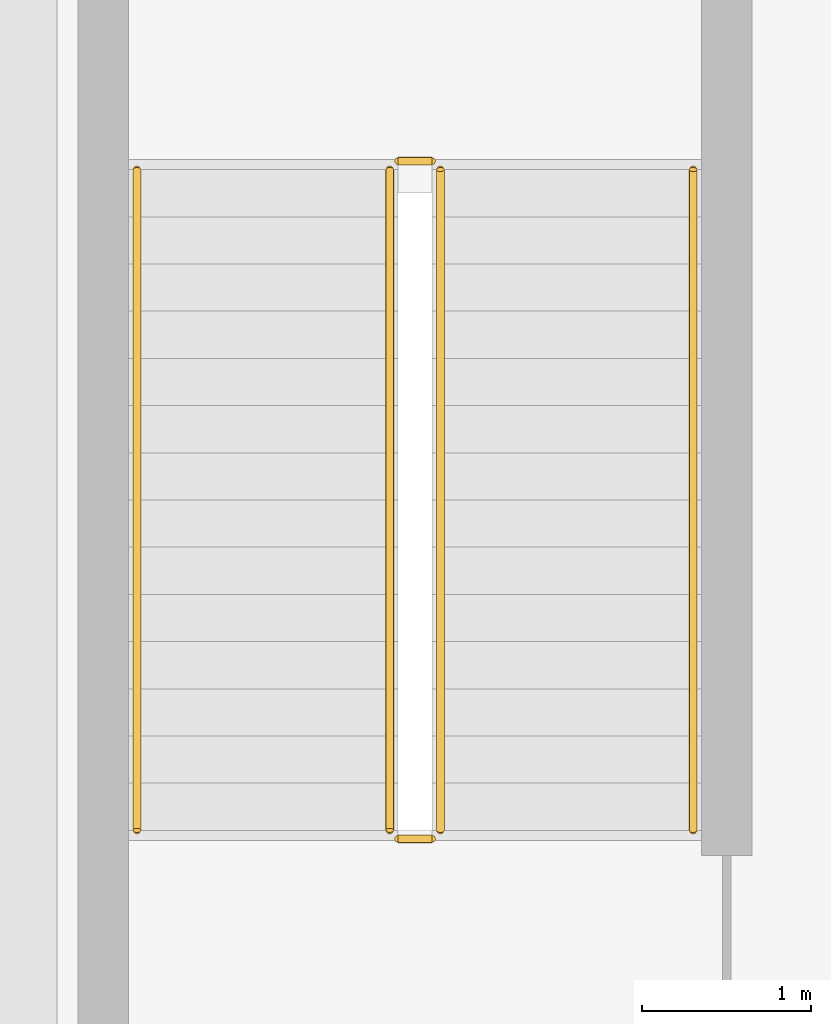
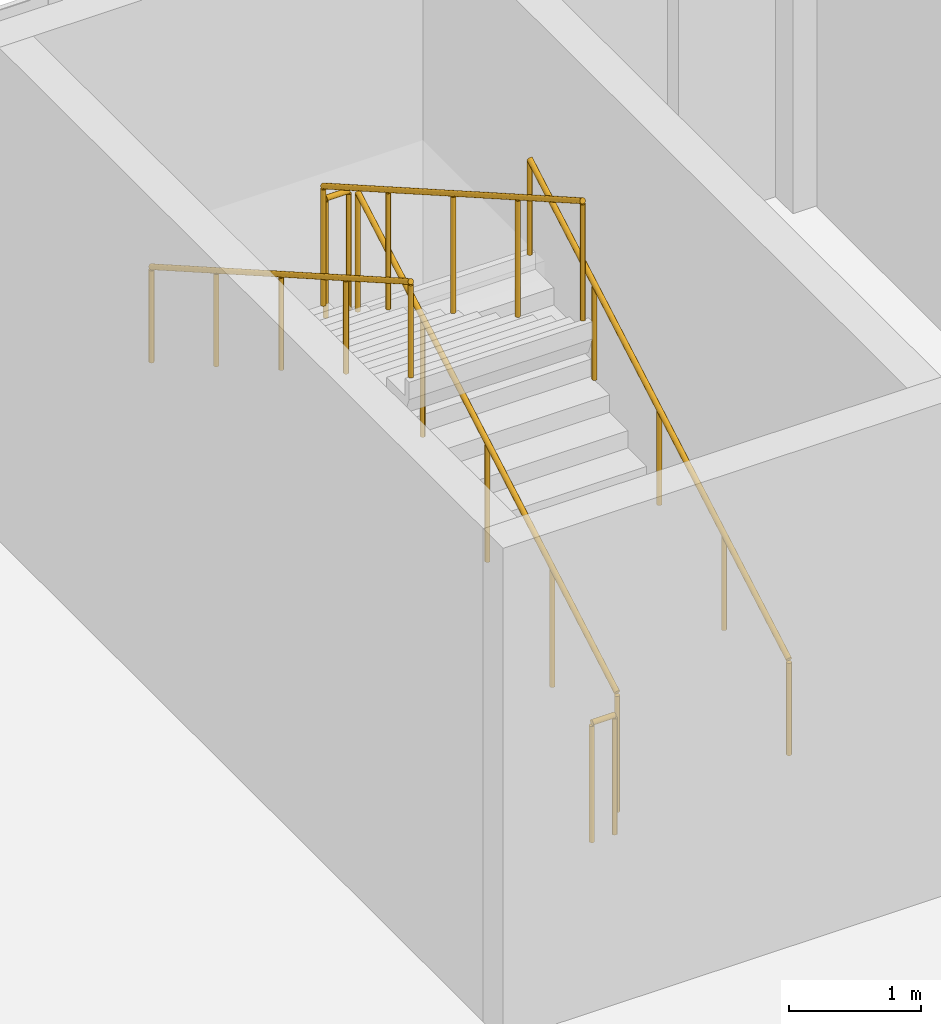
# One storey, part 149 of 156: 6 railings.
"""IFC4 building model written with IfcOpenShell, lengths in metres."""

import ifcopenshell
import ifcopenshell.guid

model = None  # the IFC model being written
_history = None  # IfcOwnerHistory: only IFC2X3 demands one
_inside = {}  # id of a spatial element -> (the spatial element, [elements in it])
_under = {}  # id of a project, library or spatial element -> (it, [spatial elements below it])
_declared = {}  # id of a project -> (the project, [libraries it declares])
_typed = {}  # id of a type object -> (the type object, [elements of that type])
_made_of = {}  # id of a material, layer set ... -> (it, [elements and type objects made of it])


def new_model(schema):
    """Start an empty IFC model of exactly this schema.

    Asked for "IFC4X3", IfcOpenShell would pick the latest addendum, in which some entities
    have other attributes; the version numbers below select the first issue.
    IFC2X3 requires an IfcOwnerHistory on every rooted entity: one is made here for all.
    """
    global model, _history
    if schema == "IFC4X3":
        model = ifcopenshell.file(schema_version=(4, 3, 0, 0))
    else:
        model = ifcopenshell.file(schema=schema)
    _inside.clear()
    _under.clear()
    _declared.clear()
    _typed.clear()
    _made_of.clear()
    _history = None
    if model.schema == "IFC2X3":
        org = make("IfcOrganization", Name="unknown")
        user = make(
            "IfcPersonAndOrganization",
            ThePerson=make("IfcPerson", FamilyName="unknown"),
            TheOrganization=org,
        )
        app = make(
            "IfcApplication",
            ApplicationDeveloper=org,
            Version="unknown",
            ApplicationFullName="unknown",
            ApplicationIdentifier="unknown",
        )
        _history = make(
            "IfcOwnerHistory",
            OwningUser=user,
            OwningApplication=app,
            ChangeAction="ADDED",
            CreationDate=0,
        )
    return model


def make(cls, **values):
    """One entity of the class cls with the attributes given. An attribute that is None is left unset."""
    return model.create_entity(
        cls, **{name: value for name, value in values.items() if value is not None}
    )


def rooted(cls, **values):
    """An entity with a GlobalId (a new one), such as an element, a storey or a relation."""
    return make(cls, GlobalId=ifcopenshell.guid.new(), OwnerHistory=_history, **values)


def si_unit(unit_type, name, prefix=None):
    """IfcSIUnit, for example si_unit("LENGTHUNIT", "METRE", prefix="MILLI")."""
    return make("IfcSIUnit", UnitType=unit_type, Prefix=prefix, Name=name)


def assignment(units):
    """IfcUnitAssignment: the units of a project."""
    return None if units is None else make("IfcUnitAssignment", Units=units)


def point(xyz):
    """IfcCartesianPoint."""
    return None if xyz is None else make("IfcCartesianPoint", Coordinates=xyz)


def direction(xyz):
    """IfcDirection."""
    return None if xyz is None else make("IfcDirection", DirectionRatios=xyz)


def frame(location, z_axis=None, x_axis=None):
    """IfcAxis2Placement3D, a coordinate frame: its origin and axes. An axis left out is left unset."""
    return make(
        "IfcAxis2Placement3D",
        Location=point(location),
        Axis=direction(z_axis),
        RefDirection=direction(x_axis),
    )


def frame_2d(location, x_axis=None):
    """IfcAxis2Placement2D, a coordinate frame in the plane: its origin and x axis."""
    return make(
        "IfcAxis2Placement2D", Location=point(location), RefDirection=direction(x_axis)
    )


def origin():
    """The frame at (0, 0, 0) with its axes left unset."""
    return frame((0.0, 0.0, 0.0))


def origin_2d():
    """The frame at (0, 0) in the plane with its x axis left unset."""
    return frame_2d((0.0, 0.0))


def place(relative_to, where):
    """IfcLocalPlacement: puts the frame where relative to a parent placement (None: the world)."""
    return make(
        "IfcLocalPlacement", PlacementRelTo=relative_to, RelativePlacement=where
    )


def context(
    kind, dimensions, precision=None, world=None, true_north=None, identifier=None
):
    """IfcGeometricRepresentationContext, for example the 3D "Model" context."""
    return make(
        "IfcGeometricRepresentationContext",
        ContextIdentifier=identifier,
        ContextType=kind,
        CoordinateSpaceDimension=dimensions,
        Precision=precision,
        WorldCoordinateSystem=world,
        TrueNorth=true_north,
    )


def subcontext(parent, identifier, kind, view, scale=None):
    """IfcGeometricRepresentationSubContext, for example "Body" below "Model"."""
    return make(
        "IfcGeometricRepresentationSubContext",
        ContextIdentifier=identifier,
        ContextType=kind,
        ParentContext=parent,
        TargetScale=scale,
        TargetView=view,
    )


def project(units=None, contexts=None):
    """IfcProject with its units and contexts."""
    return rooted(
        "IfcProject",
        Name="project",
        RepresentationContexts=contexts,
        UnitsInContext=assignment(units),
    )


def spatial(cls, under=None, at=None, **own):
    """A site, building, storey or space (cls), placed at a placement, below another one or the project."""
    s = rooted(cls, ObjectPlacement=at, **own)
    if under is not None:
        _under.setdefault(under.id(), (under, []))[1].append(s)
    return s


def profile(cls, at=None, kind="AREA", **sizes):
    """A parametric profile (cls). Its sizes go by their IFC names, for example OverallWidth=200.0."""
    return make(cls, ProfileType=kind, Position=at, **sizes)


def circle(**sizes):
    """IfcCircleProfileDef."""
    return profile("IfcCircleProfileDef", **sizes)


def extrude(swept, where, along, depth):
    """IfcExtrudedAreaSolid: the profile swept, set in the frame where, extruded along a direction by depth."""
    return make(
        "IfcExtrudedAreaSolid",
        SweptArea=swept,
        Position=where,
        ExtrudedDirection=direction(along),
        Depth=depth,
    )


def shape(context_of_items, identifier, shape_type, items):
    """IfcShapeRepresentation: the items that make up one representation, for example the "Body"."""
    return make(
        "IfcShapeRepresentation",
        ContextOfItems=context_of_items,
        RepresentationIdentifier=identifier,
        RepresentationType=shape_type,
        Items=items,
    )


def material(Name=None, Category=None):
    """IfcMaterial."""
    return make("IfcMaterial", Name=Name, Category=Category)


def made_of(thing, what):
    """Note that an element or type object is made of a material, layer set ...; save() writes the relation."""
    if what is not None:
        _made_of.setdefault(what.id(), (what, []))[1].append(thing)
    return thing


def type_object(cls, material=None, **own):
    """A type object (cls), such as IfcWallType, which elements share."""
    return made_of(rooted(cls, **own), material)


def element(
    cls,
    number,
    at=None,
    inside=None,
    cuts=None,
    type_object=None,
    material=None,
    context=None,
    identifier="Body",
    shape_type=None,
    held_by="IfcProductDefinitionShape",
    body=None,
    shapes=None,
    **own,
):
    """One element of the class cls, such as IfcWall. Its Tag is "e" and its number.

    at: its placement. inside: the storey or other place that contains it. cuts: it is an
    opening in that element (IfcRelVoidsElement). A single representation is given by context,
    identifier, shape_type and body (its items); several are given by shapes. held_by: the class
    of the entity that holds the representations. save() writes the other relations.
    """
    e = rooted(cls, Tag="e%d" % number, ObjectPlacement=at, **own)
    if body is not None:
        shapes = [shape(context, identifier, shape_type, body)]
    if shapes is not None:
        e.Representation = make(held_by, Representations=shapes)
    if inside is not None:
        _inside.setdefault(inside.id(), (inside, []))[1].append(e)
    if cuts is not None:
        rooted(
            "IfcRelVoidsElement", RelatingBuildingElement=cuts, RelatedOpeningElement=e
        )
    if type_object is not None:
        _typed.setdefault(type_object.id(), (type_object, []))[1].append(e)
    return made_of(e, material)


def aggregate(whole, parts):
    """IfcRelAggregates: a whole, such as a stair, and the parts it consists of."""
    return rooted("IfcRelAggregates", RelatingObject=whole, RelatedObjects=parts)


def save(model, path):
    """Write the relations noted so far, then the file.

    IfcRelAggregates (storeys below a building ...), IfcRelContainedInSpatialStructure (elements
    in a storey), IfcRelDefinesByType, IfcRelAssociatesMaterial and IfcRelDeclares: one each for
    every whole, place, type object, material and project.
    """
    for whole, parts in _under.values():
        aggregate(whole, parts)
    for where, things in _inside.values():
        rooted(
            "IfcRelContainedInSpatialStructure",
            RelatedElements=things,
            RelatingStructure=where,
        )
    for kind, things in _typed.values():
        rooted("IfcRelDefinesByType", RelatedObjects=things, RelatingType=kind)
    for what, things in _made_of.values():
        rooted("IfcRelAssociatesMaterial", RelatedObjects=things, RelatingMaterial=what)
    for by, libraries in _declared.values():
        rooted("IfcRelDeclares", RelatingContext=by, RelatedDefinitions=libraries)
    model.write(path)


model = new_model("IFC4")

# Units and contexts
model_context = context("Model", 3, precision=1e-05, world=origin(), true_north=direction((0.0, 1.0)))
body_context = subcontext(model_context, "Body", "Model", "MODEL_VIEW")
ifc_project = project(units=[si_unit("LENGTHUNIT", "METRE"), si_unit("AREAUNIT", "SQUARE_METRE"), si_unit("VOLUMEUNIT", "CUBIC_METRE"), si_unit("PLANEANGLEUNIT", "RADIAN"), si_unit("MASSUNIT", "GRAM", prefix="KILO")], contexts=[model_context])

# Site, building, storey
site_placement = place(None, origin())
site = spatial("IfcSite", under=ifc_project, at=site_placement, CompositionType="ELEMENT")
building_placement = place(site_placement, origin())
building = spatial("IfcBuilding", under=site, at=building_placement, Name="Luwemba Playhouse", CompositionType="ELEMENT")
storey_placement = place(building_placement, origin())
storey = spatial("IfcBuildingStorey", under=building, at=storey_placement, Name="L00", CompositionType="ELEMENT", Elevation=0.0)

# Railings
ifc_material_1 = material(Name="Painted wrought-iron gallery balustrade", Category="steel")
railing_type_1 = type_object("IfcRailingType", Name="RLG-BAL-INT", PredefinedType="BALUSTRADE", material=ifc_material_1)
railing_1_placement = place(storey_placement, frame((126.5, 108.199951171875, 0.159912109375)))
element("IfcRailing", 1, at=railing_1_placement, inside=storey, type_object=railing_type_1, Name="L00 ST-16 stair guard 1", PredefinedType="BALUSTRADE", context=body_context, shape_type="SweptSolid", body=[
    extrude(circle(Radius=0.02392578125, at=origin_2d()), frame((0.0, 0.0, 1.09619140625), z_axis=(0.0, 0.86825312469, 0.496121468458), x_axis=(-1.0, 0.0, 0.0)), (0.0, 0.0, 1.0), 4.514892578125),
    extrude(circle(Radius=0.02099609375, at=origin_2d()), origin(), (0.0, 0.0, 1.0), 1.072021484375),
    extrude(circle(Radius=0.02099609375, at=origin_2d()), frame((0.0, 0.97998046875, 0.56005859375)), (0.0, 0.0, 1.0), 1.072021484375),
    extrude(circle(Radius=0.02099609375, at=origin_2d()), frame((0.0, 1.9599609375, 1.1201171875)), (0.0, 0.0, 1.0), 1.072021484375),
    extrude(circle(Radius=0.02099609375, at=origin_2d()), frame((0.0, 2.940185546875, 1.679931640625)), (0.0, 0.0, 1.0), 1.072021484375),
    extrude(circle(Radius=0.02099609375, at=origin_2d()), frame((0.0, 3.920166015625, 2.239990234375)), (0.0, 0.0, 1.0), 1.072021484375),
])
railing_2_placement = place(storey_placement, frame((126.449951171875, 112.169921875, 2.39990234375)))
element("IfcRailing", 2, at=railing_2_placement, inside=storey, type_object=railing_type_1, Name="L00 ST-16 stair guard 2", PredefinedType="BALUSTRADE", context=body_context, shape_type="SweptSolid", body=[
    extrude(circle(Radius=0.02392578125, at=origin_2d()), frame((0.0, 0.0, 1.09619140625), z_axis=(-1.0, 0.0, 0.0), x_axis=(0.0, -1.0, 0.0)), (0.0, 0.0, 1.0), 0.199951171875),
    extrude(circle(Radius=0.02099609375, at=origin_2d()), origin(), (0.0, 0.0, 1.0), 1.072021484375),
    extrude(circle(Radius=0.02099609375, at=origin_2d()), frame((-0.199951171875, 0.0, 0.0)), (0.0, 0.0, 1.0), 1.072021484375),
])
railing_3_placement = place(storey_placement, frame((126.199951171875, 112.1201171875, 2.56005859375)))
element("IfcRailing", 3, at=railing_3_placement, inside=storey, type_object=railing_type_1, Name="L00 ST-16 stair guard 3", PredefinedType="BALUSTRADE", context=body_context, shape_type="SweptSolid", body=[
    extrude(circle(Radius=0.02392578125, at=origin_2d()), frame((0.0, 0.0, 1.09619140625), z_axis=(0.0, -0.86825312469, 0.496121468458), x_axis=(1.0, 0.0, 0.0)), (0.0, 0.0, 1.0), 4.514892578125),
    extrude(circle(Radius=0.02099609375, at=origin_2d()), origin(), (0.0, 0.0, 1.0), 1.072021484375),
    extrude(circle(Radius=0.02099609375, at=origin_2d()), frame((0.0, -0.97998046875, 0.56005859375)), (0.0, 0.0, 1.0), 1.072021484375),
    extrude(circle(Radius=0.02099609375, at=origin_2d()), frame((0.0, -1.9599609375, 1.1201171875)), (0.0, 0.0, 1.0), 1.072021484375),
    extrude(circle(Radius=0.02099609375, at=origin_2d()), frame((0.0, -2.940185546875, 1.679931640625)), (0.0, 0.0, 1.0), 1.072021484375),
    extrude(circle(Radius=0.02099609375, at=origin_2d()), frame((0.0, -3.920166015625, 2.239990234375)), (0.0, 0.0, 1.0), 1.072021484375),
])
railing_4_placement = place(storey_placement, frame((126.449951171875, 108.14990234375, 0.0)))
element("IfcRailing", 4, at=railing_4_placement, inside=storey, type_object=railing_type_1, Name="L00 ST-16 stair guard 4", PredefinedType="BALUSTRADE", context=body_context, shape_type="SweptSolid", body=[
    extrude(circle(Radius=0.02392578125, at=origin_2d()), frame((0.0, 0.0, 1.09619140625), z_axis=(-1.0, 0.0, 0.0), x_axis=(0.0, -1.0, 0.0)), (0.0, 0.0, 1.0), 0.199951171875),
    extrude(circle(Radius=0.02099609375, at=origin_2d()), origin(), (0.0, 0.0, 1.0), 1.072021484375),
    extrude(circle(Radius=0.02099609375, at=origin_2d()), frame((-0.199951171875, 0.0, 0.0)), (0.0, 0.0, 1.0), 1.072021484375),
])
ifc_material_2 = material(Name="Hardwood and bronze handrail", Category="wood")
railing_type_2 = type_object("IfcRailingType", Name="RLG-HR-INT", PredefinedType="HANDRAIL", material=ifc_material_2)
railing_5_placement = place(storey_placement, frame((128.0, 108.199951171875, 0.159912109375)))
element("IfcRailing", 5, at=railing_5_placement, inside=storey, type_object=railing_type_2, Name="L00 ST-16 stair handrail 1", PredefinedType="HANDRAIL", context=body_context, shape_type="SweptSolid", body=[
    extrude(circle(Radius=0.02392578125, at=origin_2d()), frame((0.0, 0.0, 0.8759765625), z_axis=(0.0, 0.86825312469, 0.496121468458), x_axis=(-1.0, 0.0, 0.0)), (0.0, 0.0, 1.0), 4.514892578125),
    extrude(circle(Radius=0.02099609375, at=origin_2d()), origin(), (0.0, 0.0, 1.0), 0.851806640625),
    extrude(circle(Radius=0.02099609375, at=origin_2d()), frame((0.0, 0.97998046875, 0.56005859375)), (0.0, 0.0, 1.0), 0.851806640625),
    extrude(circle(Radius=0.02099609375, at=origin_2d()), frame((0.0, 1.9599609375, 1.1201171875)), (0.0, 0.0, 1.0), 0.851806640625),
    extrude(circle(Radius=0.02099609375, at=origin_2d()), frame((0.0, 2.940185546875, 1.679931640625)), (0.0, 0.0, 1.0), 0.851806640625),
    extrude(circle(Radius=0.02099609375, at=origin_2d()), frame((0.0, 3.920166015625, 2.239990234375)), (0.0, 0.0, 1.0), 0.851806640625),
])
railing_6_placement = place(storey_placement, frame((124.699951171875, 112.1201171875, 2.56005859375)))
element("IfcRailing", 6, at=railing_6_placement, inside=storey, type_object=railing_type_2, Name="L00 ST-16 stair handrail 2", PredefinedType="HANDRAIL", context=body_context, shape_type="SweptSolid", body=[
    extrude(circle(Radius=0.02392578125, at=origin_2d()), frame((0.0, 0.0, 0.8759765625), z_axis=(0.0, -0.86825312469, 0.496121468458), x_axis=(1.0, 0.0, 0.0)), (0.0, 0.0, 1.0), 4.514892578125),
    extrude(circle(Radius=0.02099609375, at=origin_2d()), origin(), (0.0, 0.0, 1.0), 0.851806640625),
    extrude(circle(Radius=0.02099609375, at=origin_2d()), frame((0.0, -0.97998046875, 0.56005859375)), (0.0, 0.0, 1.0), 0.851806640625),
    extrude(circle(Radius=0.02099609375, at=origin_2d()), frame((0.0, -1.9599609375, 1.1201171875)), (0.0, 0.0, 1.0), 0.851806640625),
    extrude(circle(Radius=0.02099609375, at=origin_2d()), frame((0.0, -2.940185546875, 1.679931640625)), (0.0, 0.0, 1.0), 0.851806640625),
    extrude(circle(Radius=0.02099609375, at=origin_2d()), frame((0.0, -3.920166015625, 2.239990234375)), (0.0, 0.0, 1.0), 0.851806640625),
])

save(model, "model.ifc")
